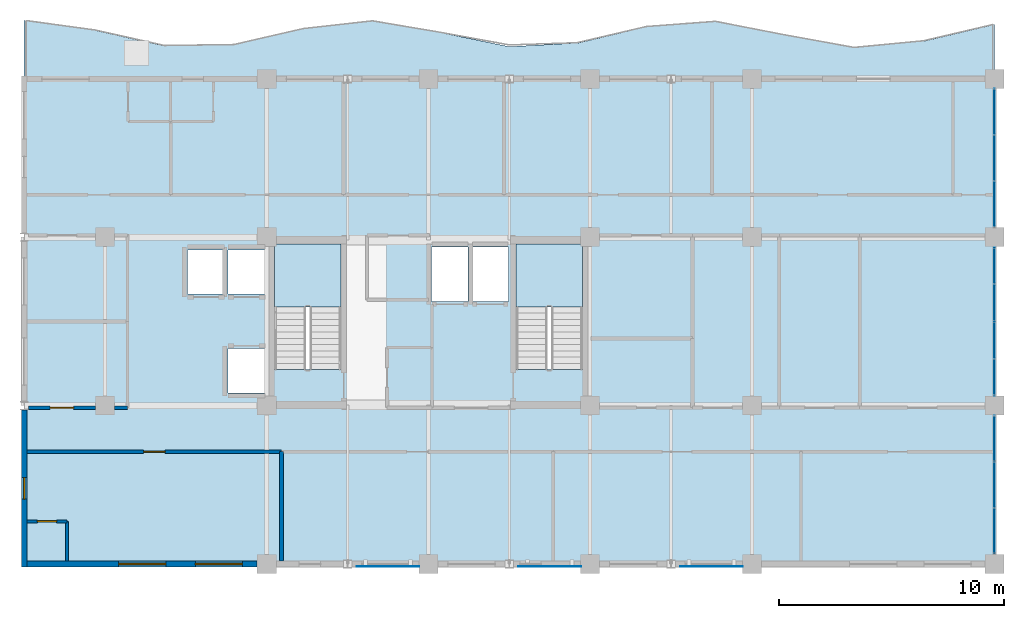
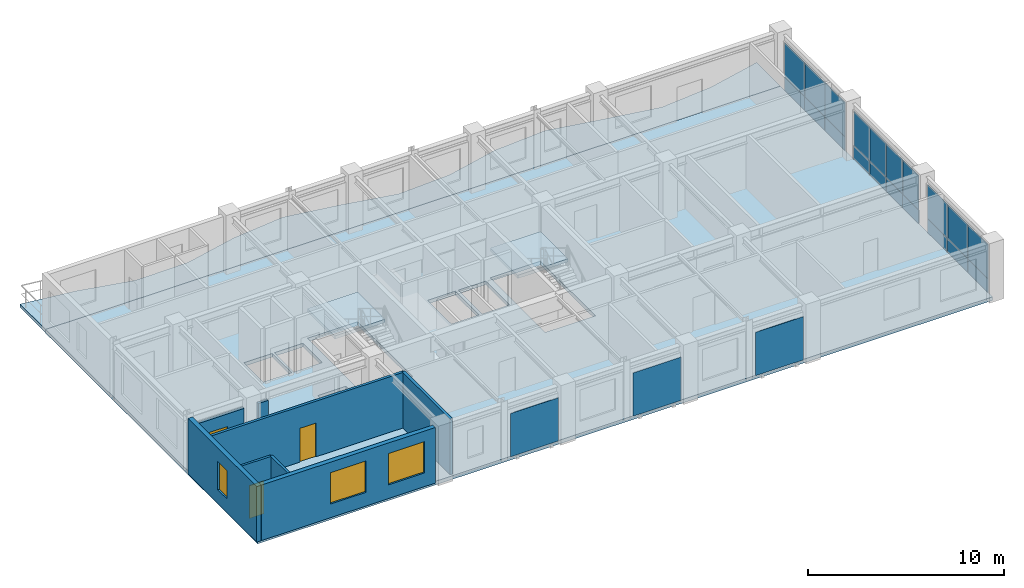
# One storey, part 5 of 11: 23 plates, 8 walls, 4 slabs, 3 doors, 3 windows, 6 openings, 5 elements without a shape of their own.
"""IFC4 building model written with IfcOpenShell, lengths in metres."""

from ifc_helpers import new_model, si_unit, direction, frame, frame_2d, origin, origin_2d, place, context, subcontext, project, spatial, polyline, rectangle, outline, extrude, source, transform, mapped, material, layer, layer_set, type_object, element, fill, aggregate, save


model = new_model("IFC4")

# Units and contexts
model_context = context("Model", 3, precision=1e-05, world=origin(), true_north=direction((0.0, 1.0)))
body_context = subcontext(model_context, "Body", "Model", "MODEL_VIEW")
ifc_project = project(units=[si_unit("LENGTHUNIT", "METRE"), si_unit("AREAUNIT", "SQUARE_METRE"), si_unit("VOLUMEUNIT", "CUBIC_METRE"), si_unit("PLANEANGLEUNIT", "RADIAN"), si_unit("MASSUNIT", "GRAM", prefix="KILO")], contexts=[model_context])

# Site, building, storey
site_placement = place(None, origin())
site = spatial("IfcSite", under=ifc_project, at=site_placement, CompositionType="ELEMENT")
building_placement = place(site_placement, origin())
building = spatial("IfcBuilding", under=site, at=building_placement, Name="Kaliganga Portal Commons", CompositionType="ELEMENT")
storey_placement = place(building_placement, frame((0.0, 0.0, 272.10009765625)))
storey = spatial("IfcBuildingStorey", under=building, at=storey_placement, Name="L70", CompositionType="ELEMENT", Elevation=272.10009765625)

# Slab
ifc_material_1 = material(Name="Concrete C40/50", Category="concrete")
ifc_layer_1 = layer(ifc_material_1, 0.2099609375)
ifc_layer_set_1 = layer_set([ifc_layer_1], Name="Concrete C40/50")
slab_type_1 = type_object("IfcSlabType", Name="SLB-BALC-210", PredefinedType="FLOOR", material=ifc_layer_set_1)
slab_1_placement = place(storey_placement, frame((0.0, 0.0, -0.210205078125)))
element("IfcSlab", 1, at=slab_1_placement, inside=storey, type_object=slab_type_1, Name="Scalloped Tree-Planter Balcony Slab L70 balc_north", PredefinedType="FLOOR", context=body_context, shape_type="SweptSolid", body=[
    extrude(outline(polyline([(46.800048828125, 43.199951171875), (46.800048828125, 45.62158203125), (43.71435546875, 44.895263671875), (40.628662109375, 44.597900390625), (37.54296875, 45.160888671875), (34.45703125, 45.767578125), (31.371337890625, 45.537841796875), (28.28564453125, 44.804931640625), (25.199951171875, 44.632080078125), (22.1142578125, 45.27001953125), (19.028564453125, 45.793212890625), (15.94287109375, 45.44287109375), (12.857177734375, 44.72705078125), (9.771484375, 44.684326171875), (6.685791015625, 45.376708984375), (3.60009765625, 45.7998046875), (3.60009765625, 43.199951171875), (46.800048828125, 43.199951171875)])), origin(), (0.0, 0.0, 1.0), 0.210205078125),
])

# Stair, slab
stair_type = type_object("IfcStairType", Name="ST-CORE-DOGLEG", PredefinedType="HALF_TURN_STAIR", material=ifc_material_1)
stair_1_placement = place(storey_placement, origin())
stair_1 = element("IfcStair", 2, at=stair_1_placement, inside=storey, type_object=stair_type, Name="L70 Protected Exit Stair ST-A1", PredefinedType="HALF_TURN_STAIR")
ifc_layer_2 = layer(ifc_material_1, 0.199951171875)
ifc_layer_set_2 = layer_set([ifc_layer_2], Name="Concrete C40/50")
slab_type_2 = type_object("IfcSlabType", Name="SLB-STAIR-LND", PredefinedType="LANDING", material=ifc_layer_set_2)
slab_2_placement = place(storey_placement, frame((0.0, 0.0, 1.64990234375)))
slab_2 = element("IfcSlab", 3, at=slab_2_placement, type_object=slab_type_2, Name="ST-A1 landing 1", PredefinedType="LANDING", context=body_context, shape_type="SweptSolid", body=[
    extrude(outline(polyline([(17.699951171875, 33.050048828125), (17.699951171875, 35.85009765625), (14.75, 35.85009765625), (14.75, 33.050048828125), (17.699951171875, 33.050048828125)])), origin(), (0.0, 0.0, 1.0), 0.199951171875),
])
aggregate(stair_1, [slab_2])

stair_2_placement = place(storey_placement, origin())
stair_2 = element("IfcStair", 4, at=stair_2_placement, inside=storey, type_object=stair_type, Name="L70 Protected Exit Stair ST-A2", PredefinedType="HALF_TURN_STAIR")
slab_3_placement = place(storey_placement, frame((0.0, 0.0, 1.64990234375)))
slab_3 = element("IfcSlab", 5, at=slab_3_placement, type_object=slab_type_2, Name="ST-A2 landing 1", PredefinedType="LANDING", context=body_context, shape_type="SweptSolid", body=[
    extrude(outline(polyline([(28.449951171875, 33.050048828125), (28.449951171875, 35.85009765625), (25.5, 35.85009765625), (25.5, 33.050048828125), (28.449951171875, 33.050048828125)])), origin(), (0.0, 0.0, 1.0), 0.199951171875),
])
aggregate(stair_2, [slab_3])

# Slab
ifc_layer_3 = layer(ifc_material_1, 0.22509765625)
ifc_layer_set_3 = layer_set([ifc_layer_3], Name="Concrete C40/50")
slab_type_3 = type_object("IfcSlabType", Name="SLB-TWR-220", PredefinedType="FLOOR", material=ifc_layer_set_3)
slab_4_placement = place(storey_placement, frame((0.0, 0.0, -0.22509765625)))
element("IfcSlab", 6, at=slab_4_placement, inside=storey, type_object=slab_type_3, Name="Structural Floor Slab L70", PredefinedType="FLOOR", context=body_context, shape_type="SweptSolid", body=[
    extrude(outline(polyline([(3.60009765625, 21.60009765625), (46.800048828125, 21.60009765625), (46.800048828125, 43.199951171875), (3.60009765625, 43.199951171875), (3.60009765625, 21.60009765625)]), holes=[polyline([(14.75, 30.25390625), (14.75, 35.85009765625), (17.699951171875, 35.85009765625), (17.699951171875, 30.25390625), (14.75, 30.25390625)]), polyline([(25.5, 30.25390625), (25.5, 35.85009765625), (28.449951171875, 35.85009765625), (28.449951171875, 30.25390625), (25.5, 30.25390625)]), polyline([(12.6650390625, 33.614990234375), (12.6650390625, 35.5849609375), (14.3349609375, 35.5849609375), (14.3349609375, 33.614990234375), (12.6650390625, 33.614990234375)]), polyline([(12.6650390625, 29.215087890625), (12.6650390625, 31.18505859375), (14.3349609375, 31.18505859375), (14.3349609375, 29.215087890625), (12.6650390625, 29.215087890625)]), polyline([(10.864990234375, 33.614990234375), (10.864990234375, 35.5849609375), (12.534912109375, 35.5849609375), (12.534912109375, 33.614990234375), (10.864990234375, 33.614990234375)]), polyline([(21.739990234375, 33.2900390625), (21.739990234375, 35.7099609375), (23.360107421875, 35.7099609375), (23.360107421875, 33.2900390625), (21.739990234375, 33.2900390625)]), polyline([(23.5400390625, 33.2900390625), (23.5400390625, 35.7099609375), (25.159912109375, 35.7099609375), (25.159912109375, 33.2900390625), (23.5400390625, 33.2900390625)])]), origin(), (0.0, 0.0, 1.0), 0.22509765625),
])

# Plates
ifc_material_2 = material(Name="Perforated Bronze-Anodized Aluminium Solar Screen", Category="aluminium")
ifc_layer_4 = layer(ifc_material_2, 0.01806640625)
ifc_layer_set_4 = layer_set([ifc_layer_4], Name="Perforated Bronze-Anodized Aluminium Solar Screen")
plate_type_1 = type_object("IfcPlateType", Name="PLT-SCR-18", PredefinedType="USERDEFINED", material=ifc_layer_set_4)
shared_shape_1 = source(origin(), body_context, "Body", "SweptSolid", [
    extrude(rectangle(XDim=2.800048828125, YDim=0.01806640625, at=origin_2d()), origin(), (0.0, 0.0, 1.0), 2.68994140625),
])
for number, where, z_axis, x_axis, name in (
    (7, (19.800048828125, 21.47998046875, 0.079833984375), (0.0, 0.0, 1.0), (1.0, 0.0, 0.0), "Perforated Solar Screen L70-S1"),
    (8, (27.0, 21.47998046875, 0.079833984375), (0.0, 0.0, 1.0), (1.0, 0.0, 0.0), "Perforated Solar Screen L70-S2"),
    (9, (34.199951171875, 21.47998046875, 0.079833984375), (0.0, 0.0, 1.0), (1.0, 0.0, 0.0), "Perforated Solar Screen L70-S3"),
):
    element("IfcPlate", number, at=place(storey_placement, frame(where, z_axis=z_axis, x_axis=x_axis)), inside=storey, type_object=plate_type_1, Name=name, ObjectType="SOLAR SCREEN", PredefinedType="USERDEFINED", context=body_context, shape_type="MappedRepresentation", body=[
        mapped(shared_shape_1, transform((0.0, 0.0, 0.0), x_axis=(1.0, 0.0, 0.0), y_axis=(0.0, 1.0, 0.0), z_axis=(0.0, 0.0, 1.0), scale=1.0)),
    ])

# Curtain wall, plates
ifc_material_3 = material(Name="Anodized Aluminium and Laminated Low-E Glass", Category="aluminium")
ifc_layer_5 = layer(ifc_material_3, 0.18994140625)
ifc_layer_set_5 = layer_set([ifc_layer_5], Name="Anodized Aluminium and Laminated Low-E Glass")
curtain_wall_type = type_object("IfcCurtainWallType", Name="CW-SYS-05", PredefinedType="NOTDEFINED", material=ifc_layer_set_5)
curtain_wall_1_placement = place(storey_placement, origin())
curtain_wall_1 = element("IfcCurtainWall", 10, at=curtain_wall_1_placement, inside=storey, type_object=curtain_wall_type, Name="CW 05 L70 P1E01S1", PredefinedType="NOTDEFINED")
ifc_material_4 = material(Name="Insulated Dark Spandrel Panel", Category="metal")
ifc_layer_6 = layer(ifc_material_4, 0.044921875)
ifc_layer_set_6 = layer_set([ifc_layer_6], Name="Insulated Dark Spandrel Panel")
plate_type_2 = type_object("IfcPlateType", Name="PLT-SPN-45", PredefinedType="SHEET", material=ifc_layer_set_6)
shared_shape_2 = source(origin(), body_context, "Body", "SweptSolid", [
    extrude(rectangle(XDim=2.02587890625, YDim=0.044921875, at=origin_2d()), origin(), (0.0, 0.0, 1.0), 0.841064453125),
])
plate_1_placement = place(storey_placement, frame((46.800048828125, 23.05908203125, 0.009765625), z_axis=(0.0, 0.0, 1.0), x_axis=(0.0, 1.0, 0.0)))
plate_1 = element("IfcPlate", 11, at=plate_1_placement, type_object=plate_type_2, Name="CW:05:L70:P1E01S1 Spandrel 00", PredefinedType="SHEET", context=body_context, shape_type="MappedRepresentation", body=[
    mapped(shared_shape_2, transform((0.0, 0.0, 0.0), x_axis=(1.0, 0.0, 0.0), y_axis=(0.0, 1.0, 0.0), z_axis=(0.0, 0.0, 1.0), scale=1.0)),
])
plate_2_placement = place(storey_placement, frame((46.800048828125, 25.125, 0.009765625), z_axis=(0.0, 0.0, 1.0), x_axis=(0.0, 1.0, 0.0)))
plate_2 = element("IfcPlate", 12, at=plate_2_placement, type_object=plate_type_2, Name="CW:05:L70:P1E01S1 Spandrel 01", PredefinedType="SHEET", context=body_context, shape_type="MappedRepresentation", body=[
    mapped(shared_shape_2, transform((0.0, 0.0, 0.0), x_axis=(1.0, 0.0, 0.0), y_axis=(0.0, 1.0, 0.0), z_axis=(0.0, 0.0, 1.0), scale=1.0)),
])
plate_3_placement = place(storey_placement, frame((46.800048828125, 27.19091796875, 0.009765625), z_axis=(0.0, 0.0, 1.0), x_axis=(0.0, 1.0, 0.0)))
plate_3 = element("IfcPlate", 13, at=plate_3_placement, type_object=plate_type_2, Name="CW:05:L70:P1E01S1 Spandrel 02", PredefinedType="SHEET", context=body_context, shape_type="MappedRepresentation", body=[
    mapped(shared_shape_2, transform((0.0, 0.0, 0.0), x_axis=(1.0, 0.0, 0.0), y_axis=(0.0, 1.0, 0.0), z_axis=(0.0, 0.0, 1.0), scale=1.0)),
])

curtain_wall_2_placement = place(storey_placement, origin())
curtain_wall_2 = element("IfcCurtainWall", 14, at=curtain_wall_2_placement, inside=storey, type_object=curtain_wall_type, Name="CW 05 L70 P1E01S3", PredefinedType="NOTDEFINED")
plate_4_placement = place(storey_placement, frame((46.800048828125, 37.60888671875, 0.009765625), z_axis=(0.0, 0.0, 1.0), x_axis=(0.0, 1.0, 0.0)))
plate_4 = element("IfcPlate", 15, at=plate_4_placement, type_object=plate_type_2, Name="CW:05:L70:P1E01S3 Spandrel 00", PredefinedType="SHEET", context=body_context, shape_type="MappedRepresentation", body=[
    mapped(shared_shape_2, transform((0.0, 0.0, 0.0), x_axis=(1.0, 0.0, 0.0), y_axis=(0.0, 1.0, 0.0), z_axis=(0.0, 0.0, 1.0), scale=1.0)),
])
plate_5_placement = place(storey_placement, frame((46.800048828125, 39.675048828125, 0.009765625), z_axis=(0.0, 0.0, 1.0), x_axis=(0.0, 1.0, 0.0)))
plate_5 = element("IfcPlate", 16, at=plate_5_placement, type_object=plate_type_2, Name="CW:05:L70:P1E01S3 Spandrel 01", PredefinedType="SHEET", context=body_context, shape_type="MappedRepresentation", body=[
    mapped(shared_shape_2, transform((0.0, 0.0, 0.0), x_axis=(1.0, 0.0, 0.0), y_axis=(0.0, 1.0, 0.0), z_axis=(0.0, 0.0, 1.0), scale=1.0)),
])
plate_6_placement = place(storey_placement, frame((46.800048828125, 41.740966796875, 0.009765625), z_axis=(0.0, 0.0, 1.0), x_axis=(0.0, 1.0, 0.0)))
plate_6 = element("IfcPlate", 17, at=plate_6_placement, type_object=plate_type_2, Name="CW:05:L70:P1E01S3 Spandrel 02", PredefinedType="SHEET", context=body_context, shape_type="MappedRepresentation", body=[
    mapped(shared_shape_2, transform((0.0, 0.0, 0.0), x_axis=(1.0, 0.0, 0.0), y_axis=(0.0, 1.0, 0.0), z_axis=(0.0, 0.0, 1.0), scale=1.0)),
])

# Plate
ifc_material_5 = material(Name="Dark Solar-Control Laminated Low-E IGU", Category="glass")
ifc_layer_7 = layer(ifc_material_5, 0.028076171875)
ifc_layer_set_7 = layer_set([ifc_layer_7], Name="Dark Solar-Control Laminated Low-E IGU")
plate_type_3 = type_object("IfcPlateType", Name="PLT-GLZ-28", PredefinedType="CURTAIN_PANEL", material=ifc_layer_set_7)
shared_shape_3 = source(origin(), body_context, "Body", "SweptSolid", [
    extrude(rectangle(XDim=2.02587890625, YDim=0.028076171875, at=origin_2d()), origin(), (0.0, 0.0, 1.0), 2.114013671875),
])
plate_7_placement = place(storey_placement, frame((46.800048828125, 23.05908203125, 0.87109375), z_axis=(0.0, 0.0, 1.0), x_axis=(0.0, 1.0, 0.0)))
plate_7 = element("IfcPlate", 18, at=plate_7_placement, type_object=plate_type_3, Name="CW:05:L70:P1E01S1 Vision IGU 00", PredefinedType="CURTAIN_PANEL", context=body_context, shape_type="MappedRepresentation", body=[
    mapped(shared_shape_3, transform((0.0, 0.0, 0.0), x_axis=(1.0, 0.0, 0.0), y_axis=(0.0, 1.0, 0.0), z_axis=(0.0, 0.0, 1.0), scale=1.0)),
])

plate_8_placement = place(storey_placement, frame((46.800048828125, 25.125, 0.87109375), z_axis=(0.0, 0.0, 1.0), x_axis=(0.0, 1.0, 0.0)))
plate_8 = element("IfcPlate", 19, at=plate_8_placement, type_object=plate_type_3, Name="CW:05:L70:P1E01S1 Vision IGU 01", PredefinedType="CURTAIN_PANEL", context=body_context, shape_type="MappedRepresentation", body=[
    mapped(shared_shape_3, transform((0.0, 0.0, 0.0), x_axis=(1.0, 0.0, 0.0), y_axis=(0.0, 1.0, 0.0), z_axis=(0.0, 0.0, 1.0), scale=1.0)),
])

plate_9_placement = place(storey_placement, frame((46.800048828125, 27.19091796875, 0.87109375), z_axis=(0.0, 0.0, 1.0), x_axis=(0.0, 1.0, 0.0)))
plate_9 = element("IfcPlate", 20, at=plate_9_placement, type_object=plate_type_3, Name="CW:05:L70:P1E01S1 Vision IGU 02", PredefinedType="CURTAIN_PANEL", context=body_context, shape_type="MappedRepresentation", body=[
    mapped(shared_shape_3, transform((0.0, 0.0, 0.0), x_axis=(1.0, 0.0, 0.0), y_axis=(0.0, 1.0, 0.0), z_axis=(0.0, 0.0, 1.0), scale=1.0)),
])

aggregate(curtain_wall_1, [plate_1, plate_7, plate_2, plate_8, plate_3, plate_9])

plate_10_placement = place(storey_placement, frame((46.800048828125, 37.60888671875, 0.87109375), z_axis=(0.0, 0.0, 1.0), x_axis=(0.0, 1.0, 0.0)))
plate_10 = element("IfcPlate", 21, at=plate_10_placement, type_object=plate_type_3, Name="CW:05:L70:P1E01S3 Vision IGU 00", PredefinedType="CURTAIN_PANEL", context=body_context, shape_type="MappedRepresentation", body=[
    mapped(shared_shape_3, transform((0.0, 0.0, 0.0), x_axis=(1.0, 0.0, 0.0), y_axis=(0.0, 1.0, 0.0), z_axis=(0.0, 0.0, 1.0), scale=1.0)),
])

plate_11_placement = place(storey_placement, frame((46.800048828125, 39.675048828125, 0.87109375), z_axis=(0.0, 0.0, 1.0), x_axis=(0.0, 1.0, 0.0)))
plate_11 = element("IfcPlate", 22, at=plate_11_placement, type_object=plate_type_3, Name="CW:05:L70:P1E01S3 Vision IGU 01", PredefinedType="CURTAIN_PANEL", context=body_context, shape_type="MappedRepresentation", body=[
    mapped(shared_shape_3, transform((0.0, 0.0, 0.0), x_axis=(1.0, 0.0, 0.0), y_axis=(0.0, 1.0, 0.0), z_axis=(0.0, 0.0, 1.0), scale=1.0)),
])

plate_12_placement = place(storey_placement, frame((46.800048828125, 41.740966796875, 0.87109375), z_axis=(0.0, 0.0, 1.0), x_axis=(0.0, 1.0, 0.0)))
plate_12 = element("IfcPlate", 23, at=plate_12_placement, type_object=plate_type_3, Name="CW:05:L70:P1E01S3 Vision IGU 02", PredefinedType="CURTAIN_PANEL", context=body_context, shape_type="MappedRepresentation", body=[
    mapped(shared_shape_3, transform((0.0, 0.0, 0.0), x_axis=(1.0, 0.0, 0.0), y_axis=(0.0, 1.0, 0.0), z_axis=(0.0, 0.0, 1.0), scale=1.0)),
])

aggregate(curtain_wall_2, [plate_4, plate_10, plate_5, plate_11, plate_6, plate_12])

# Curtain wall, plates
curtain_wall_3_placement = place(storey_placement, origin())
curtain_wall_3 = element("IfcCurtainWall", 24, at=curtain_wall_3_placement, inside=storey, type_object=curtain_wall_type, Name="CW 05 L70 P1E01S2", PredefinedType="NOTDEFINED")
shared_shape_4 = source(origin(), body_context, "Body", "SweptSolid", [
    extrude(rectangle(XDim=1.6220703125, YDim=0.044921875, at=origin_2d()), origin(), (0.0, 0.0, 1.0), 0.841064453125),
])
plate_13_placement = place(storey_placement, frame((46.800048828125, 29.906982421875, 0.009765625), z_axis=(0.0, 0.0, 1.0), x_axis=(0.0, 1.0, 0.0)))
plate_13 = element("IfcPlate", 25, at=plate_13_placement, type_object=plate_type_2, Name="CW:05:L70:P1E01S2 Spandrel 00", PredefinedType="SHEET", context=body_context, shape_type="MappedRepresentation", body=[
    mapped(shared_shape_4, transform((0.0, 0.0, 0.0), x_axis=(1.0, 0.0, 0.0), y_axis=(0.0, 1.0, 0.0), z_axis=(0.0, 0.0, 1.0), scale=1.0)),
])
plate_14_placement = place(storey_placement, frame((46.800048828125, 31.569091796875, 0.009765625), z_axis=(0.0, 0.0, 1.0), x_axis=(0.0, 1.0, 0.0)))
plate_14 = element("IfcPlate", 26, at=plate_14_placement, type_object=plate_type_2, Name="CW:05:L70:P1E01S2 Spandrel 01", PredefinedType="SHEET", context=body_context, shape_type="MappedRepresentation", body=[
    mapped(shared_shape_4, transform((0.0, 0.0, 0.0), x_axis=(1.0, 0.0, 0.0), y_axis=(0.0, 1.0, 0.0), z_axis=(0.0, 0.0, 1.0), scale=1.0)),
])
plate_15_placement = place(storey_placement, frame((46.800048828125, 33.23095703125, 0.009765625), z_axis=(0.0, 0.0, 1.0), x_axis=(0.0, 1.0, 0.0)))
plate_15 = element("IfcPlate", 27, at=plate_15_placement, type_object=plate_type_2, Name="CW:05:L70:P1E01S2 Spandrel 02", PredefinedType="SHEET", context=body_context, shape_type="MappedRepresentation", body=[
    mapped(shared_shape_4, transform((0.0, 0.0, 0.0), x_axis=(1.0, 0.0, 0.0), y_axis=(0.0, 1.0, 0.0), z_axis=(0.0, 0.0, 1.0), scale=1.0)),
])
plate_16_placement = place(storey_placement, frame((46.800048828125, 34.89306640625, 0.009765625), z_axis=(0.0, 0.0, 1.0), x_axis=(0.0, 1.0, 0.0)))
plate_16 = element("IfcPlate", 28, at=plate_16_placement, type_object=plate_type_2, Name="CW:05:L70:P1E01S2 Spandrel 03", PredefinedType="SHEET", context=body_context, shape_type="MappedRepresentation", body=[
    mapped(shared_shape_4, transform((0.0, 0.0, 0.0), x_axis=(1.0, 0.0, 0.0), y_axis=(0.0, 1.0, 0.0), z_axis=(0.0, 0.0, 1.0), scale=1.0)),
])
shared_shape_5 = source(origin(), body_context, "Body", "SweptSolid", [
    extrude(rectangle(XDim=1.6220703125, YDim=0.028076171875, at=origin_2d()), origin(), (0.0, 0.0, 1.0), 2.114013671875),
])
plate_17_placement = place(storey_placement, frame((46.800048828125, 29.906982421875, 0.87109375), z_axis=(0.0, 0.0, 1.0), x_axis=(0.0, 1.0, 0.0)))
plate_17 = element("IfcPlate", 29, at=plate_17_placement, type_object=plate_type_3, Name="CW:05:L70:P1E01S2 Vision IGU 00", PredefinedType="CURTAIN_PANEL", context=body_context, shape_type="MappedRepresentation", body=[
    mapped(shared_shape_5, transform((0.0, 0.0, 0.0), x_axis=(1.0, 0.0, 0.0), y_axis=(0.0, 1.0, 0.0), z_axis=(0.0, 0.0, 1.0), scale=1.0)),
])
plate_18_placement = place(storey_placement, frame((46.800048828125, 31.569091796875, 0.87109375), z_axis=(0.0, 0.0, 1.0), x_axis=(0.0, 1.0, 0.0)))
plate_18 = element("IfcPlate", 30, at=plate_18_placement, type_object=plate_type_3, Name="CW:05:L70:P1E01S2 Vision IGU 01", PredefinedType="CURTAIN_PANEL", context=body_context, shape_type="MappedRepresentation", body=[
    mapped(shared_shape_5, transform((0.0, 0.0, 0.0), x_axis=(1.0, 0.0, 0.0), y_axis=(0.0, 1.0, 0.0), z_axis=(0.0, 0.0, 1.0), scale=1.0)),
])
plate_19_placement = place(storey_placement, frame((46.800048828125, 33.23095703125, 0.87109375), z_axis=(0.0, 0.0, 1.0), x_axis=(0.0, 1.0, 0.0)))
plate_19 = element("IfcPlate", 31, at=plate_19_placement, type_object=plate_type_3, Name="CW:05:L70:P1E01S2 Vision IGU 02", PredefinedType="CURTAIN_PANEL", context=body_context, shape_type="MappedRepresentation", body=[
    mapped(shared_shape_5, transform((0.0, 0.0, 0.0), x_axis=(1.0, 0.0, 0.0), y_axis=(0.0, 1.0, 0.0), z_axis=(0.0, 0.0, 1.0), scale=1.0)),
])
plate_20_placement = place(storey_placement, frame((46.800048828125, 34.89306640625, 0.87109375), z_axis=(0.0, 0.0, 1.0), x_axis=(0.0, 1.0, 0.0)))
plate_20 = element("IfcPlate", 32, at=plate_20_placement, type_object=plate_type_3, Name="CW:05:L70:P1E01S2 Vision IGU 03", PredefinedType="CURTAIN_PANEL", context=body_context, shape_type="MappedRepresentation", body=[
    mapped(shared_shape_5, transform((0.0, 0.0, 0.0), x_axis=(1.0, 0.0, 0.0), y_axis=(0.0, 1.0, 0.0), z_axis=(0.0, 0.0, 1.0), scale=1.0)),
])
aggregate(curtain_wall_3, [plate_13, plate_17, plate_14, plate_18, plate_15, plate_19, plate_16, plate_20])

# Wall, openings, windows
ifc_material_6 = material(Name="Insulated Aluminium-Clad Spandrel Assembly", Category="aluminium")
ifc_layer_8 = layer(ifc_material_6, 0.260009765625)
ifc_layer_set_8 = layer_set([ifc_layer_8], Name="Insulated Aluminium-Clad Spandrel Assembly")
wall_type_1 = type_object("IfcWallType", Name="WL-EXT-SPAND-260", PredefinedType="STANDARD", material=ifc_layer_set_8)
wall_1_placement = place(storey_placement, frame((13.97412109375, 21.60009765625, 0.0), z_axis=(0.0, 0.0, 1.0), x_axis=(-1.0, 0.0, 0.0)))
wall_1 = element("IfcWall", 33, at=wall_1_placement, inside=storey, type_object=wall_type_1, Name="Exterior Envelope Wall L70 P1-E00-S1", PredefinedType="STANDARD", context=body_context, shape_type="SweptSolid", body=[
    extrude(rectangle(XDim=10.239013671875, YDim=0.260009765625, at=frame_2d((5.11962890625, 0.0))), origin(), (0.0, 0.0, 1.0), 3.454833984375),
])
opening_1_placement = place(wall_1_placement, frame((0.656494140625, 0.0, 0.85009765625)))
opening_1 = element("IfcOpeningElement", 34, at=opening_1_placement, cuts=wall_1, Name="Opening W-06", PredefinedType="OPENING", context=body_context, shape_type="SweptSolid", body=[
    extrude(rectangle(XDim=2.10009765625, YDim=1.949951171875, at=frame_2d((1.050048828125, 0.97509765625))), frame((0.0, 0.14013671875, 0.0), z_axis=(0.0, -1.0, 0.0), x_axis=(1.0, 0.0, 0.0)), (0.0, 0.0, 1.0), 0.280029296875),
])
opening_2_placement = place(wall_1_placement, frame((4.069580078125, 0.0, 0.85009765625)))
opening_2 = element("IfcOpeningElement", 35, at=opening_2_placement, cuts=wall_1, Name="Opening W-06", PredefinedType="OPENING", context=body_context, shape_type="SweptSolid", body=[
    extrude(rectangle(XDim=2.10009765625, YDim=1.949951171875, at=frame_2d((1.050048828125, 0.97509765625))), frame((0.0, 0.14013671875, 0.0), z_axis=(0.0, -1.0, 0.0), x_axis=(1.0, 0.0, 0.0)), (0.0, 0.0, 1.0), 0.280029296875),
])
ifc_material_7 = material(Name="Thermally Broken Aluminium and Low-E Double Glazing", Category="aluminium")
window_type_1 = type_object("IfcWindowType", Name="WIN-PAN-2100", PartitioningType="DOUBLE_PANEL_VERTICAL", PredefinedType="WINDOW", material=ifc_material_7)
window_1_placement = place(opening_1_placement, origin())
window_1 = element("IfcWindow", 36, at=window_1_placement, inside=storey, type_object=window_type_1, Name="Facade Window L70-P1E00S1-00", OverallHeight=1.949951171875, OverallWidth=2.10009765625, PartitioningType="SINGLE_PANEL", PredefinedType="WINDOW", context=body_context, shape_type="SweptSolid", body=[
    extrude(rectangle(XDim=2.10009765625, YDim=1.949951171875, at=frame_2d((1.050048828125, 0.97509765625))), frame((0.0, 0.030029296875, 0.0), z_axis=(0.0, -1.0, 0.0), x_axis=(1.0, 0.0, 0.0)), (0.0, 0.0, 1.0), 0.06005859375),
])
fill(opening_1, window_1)
window_2_placement = place(opening_2_placement, origin())
window_2 = element("IfcWindow", 37, at=window_2_placement, inside=storey, type_object=window_type_1, Name="Facade Window L70-P1E00S1-01", OverallHeight=1.949951171875, OverallWidth=2.10009765625, PartitioningType="SINGLE_PANEL", PredefinedType="WINDOW", context=body_context, shape_type="SweptSolid", body=[
    extrude(rectangle(XDim=2.10009765625, YDim=1.949951171875, at=frame_2d((1.050048828125, 0.97509765625))), frame((0.0, 0.030029296875, 0.0), z_axis=(0.0, -1.0, 0.0), x_axis=(1.0, 0.0, 0.0)), (0.0, 0.0, 1.0), 0.06005859375),
])
fill(opening_2, window_2)

# Wall, opening, window
wall_2_placement = place(storey_placement, frame((3.60009765625, 21.469970703125, 0.0), z_axis=(0.0, 0.0, 1.0), x_axis=(0.0, 1.0, 0.0)))
wall_2 = element("IfcWall", 38, at=wall_2_placement, inside=storey, type_object=wall_type_1, Name="Exterior Envelope Wall L70 P1-E03-S3", PredefinedType="STANDARD", context=body_context, shape_type="SweptSolid", body=[
    extrude(rectangle(XDim=6.992919921875, YDim=0.260009765625, at=frame_2d((3.49658203125, 0.0))), origin(), (0.0, 0.0, 1.0), 3.454833984375),
])
opening_3_placement = place(wall_2_placement, frame((3.021484375, 0.0, 0.85009765625)))
opening_3 = element("IfcOpeningElement", 39, at=opening_3_placement, cuts=wall_2, Name="Opening W-04", PredefinedType="OPENING", context=body_context, shape_type="SweptSolid", body=[
    extrude(rectangle(XDim=0.949951171875, YDim=1.75, at=frame_2d((0.47509765625, 0.875))), frame((0.0, 0.14013671875, 0.0), z_axis=(0.0, -1.0, 0.0), x_axis=(1.0, 0.0, 0.0)), (0.0, 0.0, 1.0), 0.280029296875),
])
window_type_2 = type_object("IfcWindowType", Name="WIN-NARROW-950", PartitioningType="SINGLE_PANEL", PredefinedType="WINDOW", material=ifc_material_7)
window_3_placement = place(opening_3_placement, origin())
window_3 = element("IfcWindow", 40, at=window_3_placement, inside=storey, type_object=window_type_2, Name="Facade Window L70-P1E03S3-N0", OverallHeight=1.75, OverallWidth=0.949951171875, PartitioningType="SINGLE_PANEL", PredefinedType="WINDOW", context=body_context, shape_type="SweptSolid", body=[
    extrude(rectangle(XDim=0.949951171875, YDim=1.75, at=frame_2d((0.47509765625, 0.875))), frame((0.0, 0.030029296875, 0.0), z_axis=(0.0, -1.0, 0.0), x_axis=(1.0, 0.0, 0.0)), (0.0, 0.0, 1.0), 0.06005859375),
])
fill(opening_3, window_3)

# Wall, opening, door
ifc_material_8 = material(Name="Fire-Rated Gypsum Board on Steel Stud", Category="steel")
ifc_layer_9 = layer(ifc_material_8, 0.14990234375)
ifc_layer_set_9 = layer_set([ifc_layer_9], Name="Fire-Rated Gypsum Board on Steel Stud")
wall_type_2 = type_object("IfcWallType", Name="WL-PART-CORR-150", PredefinedType="PARTITIONING", material=ifc_layer_set_9)
wall_3_placement = place(storey_placement, frame((3.73193359375, 26.60009765625, 0.0), z_axis=(0.0, 0.0, 1.0), x_axis=(1.0, 0.0, 0.0)))
wall_3 = element("IfcWall", 41, at=wall_3_placement, inside=storey, type_object=wall_type_2, Name="Interior Partition L70-009", PredefinedType="PARTITIONING", context=body_context, shape_type="SweptSolid", body=[
    extrude(rectangle(XDim=11.328125, YDim=0.14990234375, at=frame_2d((5.6640625, 0.0))), origin(), (0.0, 0.0, 1.0), 3.454833984375),
])
opening_4_placement = place(wall_3_placement, frame((5.18896484375, 0.0, 0.0)))
opening_4 = element("IfcOpeningElement", 42, at=opening_4_placement, cuts=wall_3, Name="Opening UD-01", PredefinedType="OPENING", context=body_context, shape_type="SweptSolid", body=[
    extrude(rectangle(XDim=0.949951171875, YDim=2.10009765625, at=frame_2d((0.47509765625, 1.050048828125))), frame((0.0, 0.0849609375, 0.0), z_axis=(0.0, -1.0, 0.0), x_axis=(1.0, 0.0, 0.0)), (0.0, 0.0, 1.0), 0.169921875),
])
ifc_material_9 = material(Name="Solid-Core Timber Acoustic Fire Door", Category="wood")
door_type_1 = type_object("IfcDoorType", Name="DR-UNIT-950", OperationType="NOTDEFINED", PredefinedType="DOOR", material=ifc_material_9)
door_1_placement = place(opening_4_placement, origin())
door_1 = element("IfcDoor", 43, at=door_1_placement, inside=storey, type_object=door_type_1, Name="Interior Door L70-AS01", OperationType="SINGLE_SWING_LEFT", OverallHeight=2.10009765625, OverallWidth=0.949951171875, PredefinedType="DOOR", context=body_context, shape_type="SweptSolid", body=[
    extrude(rectangle(XDim=0.949951171875, YDim=2.10009765625, at=frame_2d((0.47509765625, 1.050048828125))), frame((0.0, 0.02490234375, 0.0), z_axis=(0.0, -1.0, 0.0), x_axis=(1.0, 0.0, 0.0)), (0.0, 0.0, 1.0), 0.050048828125),
])
fill(opening_4, door_1)

wall_4_placement = place(storey_placement, frame((3.787109375, 28.56005859375, 0.0), z_axis=(0.0, 0.0, 1.0), x_axis=(1.0, 0.0, 0.0)))
wall_4 = element("IfcWall", 44, at=wall_4_placement, inside=storey, type_object=wall_type_2, Name="Interior Partition L70-019", PredefinedType="PARTITIONING", context=body_context, shape_type="SweptSolid", body=[
    extrude(rectangle(XDim=2.98779296875, YDim=0.14990234375, at=frame_2d((1.493896484375, 0.0))), origin(), (0.0, 0.0, 1.0), 2.90478515625),
])
opening_5_placement = place(wall_4_placement, frame((0.968994140625, 0.0, 0.0)))
opening_5 = element("IfcOpeningElement", 45, at=opening_5_placement, cuts=wall_4, Name="Opening UD-02", PredefinedType="OPENING", context=body_context, shape_type="SweptSolid", body=[
    extrude(rectangle(XDim=1.050048828125, YDim=2.1201171875, at=frame_2d((0.52490234375, 1.06005859375))), frame((0.0, 0.0849609375, 0.0), z_axis=(0.0, -1.0, 0.0), x_axis=(1.0, 0.0, 0.0)), (0.0, 0.0, 1.0), 0.169921875),
])
ifc_material_10 = material(Name="Accessible Wide-Leaf Acoustic Fire Door", Category="wood")
door_type_2 = type_object("IfcDoorType", Name="DR-ACC-1050", OperationType="NOTDEFINED", PredefinedType="DOOR", material=ifc_material_10)
door_2_placement = place(opening_5_placement, origin())
door_2 = element("IfcDoor", 46, at=door_2_placement, inside=storey, type_object=door_type_2, Name="Interior Door L70-AW01", OperationType="SINGLE_SWING_RIGHT", OverallHeight=2.1201171875, OverallWidth=1.050048828125, PredefinedType="DOOR", context=body_context, shape_type="SweptSolid", body=[
    extrude(rectangle(XDim=1.050048828125, YDim=2.1201171875, at=frame_2d((0.52490234375, 1.06005859375))), frame((0.0, 0.02490234375, 0.0), z_axis=(0.0, -1.0, 0.0), x_axis=(1.0, 0.0, 0.0)), (0.0, 0.0, 1.0), 0.050048828125),
])
fill(opening_5, door_2)

# Walls
wall_5_placement = place(storey_placement, frame((7.625, 28.56005859375, 0.0), z_axis=(0.0, 0.0, 1.0), x_axis=(1.0, 0.0, 0.0)))
element("IfcWall", 47, at=wall_5_placement, inside=storey, type_object=wall_type_2, Name="Interior Partition L70-020", PredefinedType="PARTITIONING", context=body_context, shape_type="SweptSolid", body=[
    extrude(rectangle(XDim=0.574951171875, YDim=0.14990234375, at=frame_2d((0.28759765625, 0.0))), origin(), (0.0, 0.0, 1.0), 2.90478515625),
])
ifc_material_11 = material(Name="Twin-Stud Acoustic Gypsum Partition", Category="gypsum")
ifc_layer_10 = layer(ifc_material_11, 0.1650390625)
ifc_layer_set_10 = layer_set([ifc_layer_10], Name="Twin-Stud Acoustic Gypsum Partition")
wall_type_3 = type_object("IfcWallType", Name="WL-PART-UNIT-165", PredefinedType="PARTITIONING", material=ifc_layer_set_10)
wall_6_placement = place(storey_placement, frame((15.06005859375, 21.73193359375, 0.0), z_axis=(0.0, 0.0, 1.0), x_axis=(0.0, 1.0, 0.0)))
element("IfcWall", 48, at=wall_6_placement, inside=storey, type_object=wall_type_3, Name="Interior Partition L70-048", PredefinedType="PARTITIONING", context=body_context, shape_type="SweptSolid", body=[
    extrude(rectangle(XDim=4.8681640625, YDim=0.1650390625, at=frame_2d((2.43408203125, 0.0))), origin(), (0.0, 0.0, 1.0), 3.454833984375),
])

# Wall, opening, door
ifc_material_12 = material(Name="Cement-Board Wet-Room Partition", Category="gypsum")
ifc_layer_11 = layer(ifc_material_12, 0.135009765625)
ifc_layer_set_11 = layer_set([ifc_layer_11], Name="Cement-Board Wet-Room Partition")
wall_type_4 = type_object("IfcWallType", Name="WL-PART-WET-135", PredefinedType="PARTITIONING", material=ifc_layer_set_11)
wall_7_placement = place(storey_placement, frame((3.73193359375, 23.5, 0.0), z_axis=(0.0, 0.0, 1.0), x_axis=(1.0, 0.0, 0.0)))
wall_7 = element("IfcWall", 49, at=wall_7_placement, inside=storey, type_object=wall_type_4, Name="Interior Partition L70-005", PredefinedType="PARTITIONING", context=body_context, shape_type="SweptSolid", body=[
    extrude(rectangle(XDim=1.76806640625, YDim=0.135009765625, at=frame_2d((0.884033203125, 0.0))), origin(), (0.0, 0.0, 1.0), 3.454833984375),
])
opening_6_placement = place(wall_7_placement, frame((0.458984375, 0.0, 0.0)))
opening_6 = element("IfcOpeningElement", 50, at=opening_6_placement, cuts=wall_7, Name="Opening WD-01", PredefinedType="OPENING", context=body_context, shape_type="SweptSolid", body=[
    extrude(rectangle(XDim=0.85009765625, YDim=2.0400390625, at=frame_2d((0.425048828125, 1.02001953125))), frame((0.0, 0.07763671875, 0.0), z_axis=(0.0, -1.0, 0.0), x_axis=(1.0, 0.0, 0.0)), (0.0, 0.0, 1.0), 0.155029296875),
])
ifc_material_13 = material(Name="Moisture-Resistant Laminate Timber Door", Category="wood")
door_type_3 = type_object("IfcDoorType", Name="DR-WET-850", OperationType="NOTDEFINED", PredefinedType="DOOR", material=ifc_material_13)
door_3_placement = place(opening_6_placement, origin())
door_3 = element("IfcDoor", 51, at=door_3_placement, inside=storey, type_object=door_type_3, Name="Interior Door L70-AS01E", OperationType="SINGLE_SWING_LEFT", OverallHeight=2.0400390625, OverallWidth=0.85009765625, PredefinedType="DOOR", context=body_context, shape_type="SweptSolid", body=[
    extrude(rectangle(XDim=0.85009765625, YDim=2.0400390625, at=frame_2d((0.425048828125, 1.02001953125))), frame((0.0, 0.02490234375, 0.0), z_axis=(0.0, -1.0, 0.0), x_axis=(1.0, 0.0, 0.0)), (0.0, 0.0, 1.0), 0.050048828125),
])
fill(opening_6, door_3)

# Wall
wall_8_placement = place(storey_placement, frame((5.5, 21.73193359375, 0.0), z_axis=(0.0, 0.0, 1.0), x_axis=(0.0, 1.0, 0.0)))
element("IfcWall", 52, at=wall_8_placement, inside=storey, type_object=wall_type_4, Name="Interior Partition L70-007", PredefinedType="PARTITIONING", context=body_context, shape_type="SweptSolid", body=[
    extrude(rectangle(XDim=1.76806640625, YDim=0.135009765625, at=frame_2d((0.884033203125, 0.0))), origin(), (0.0, 0.0, 1.0), 3.454833984375),
])

save(model, "model.ifc")
